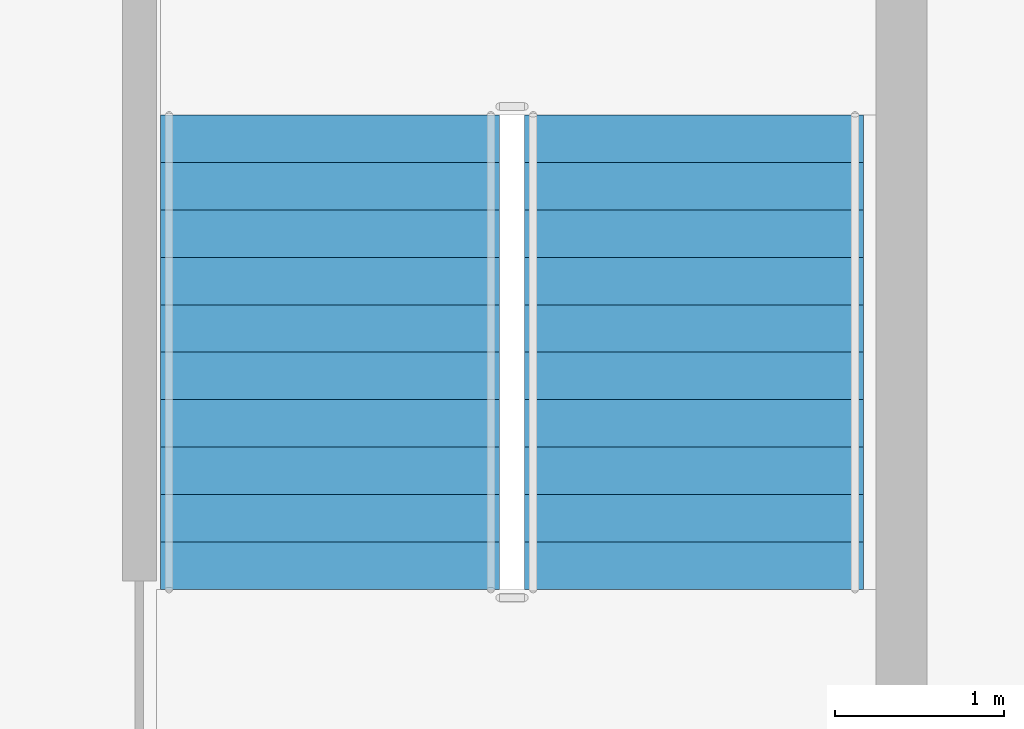
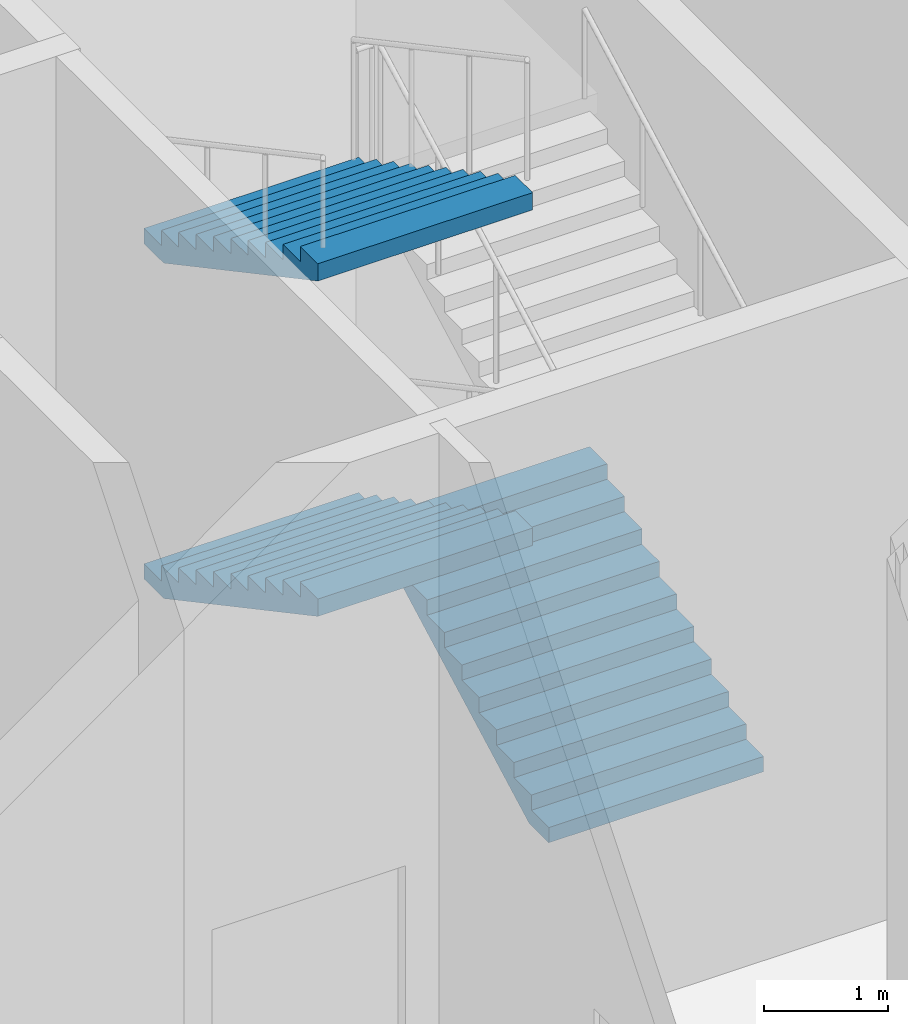
# One storey, part 13 of 26: 3 stair flights, 1 element without a shape of its own.
"""IFC4 building model written with IfcOpenShell, lengths in metres."""

from ifc_helpers import new_model, si_unit, direction, frame, origin, place, context, subcontext, project, spatial, polygons, material, type_object, element, aggregate, save


model = new_model("IFC4")

# Units and contexts
model_context = context("Model", 3, precision=1e-05, world=origin(), true_north=direction((0.0, 1.0)))
body_context = subcontext(model_context, "Body", "Model", "MODEL_VIEW")
ifc_project = project(units=[si_unit("LENGTHUNIT", "METRE"), si_unit("AREAUNIT", "SQUARE_METRE"), si_unit("VOLUMEUNIT", "CUBIC_METRE"), si_unit("PLANEANGLEUNIT", "RADIAN"), si_unit("MASSUNIT", "GRAM", prefix="KILO")], contexts=[model_context])

# Site, building, storey
site_placement = place(None, origin())
site = spatial("IfcSite", under=ifc_project, at=site_placement, CompositionType="ELEMENT")
building_placement = place(site_placement, origin())
building = spatial("IfcBuilding", under=site, at=building_placement, Name="Caravel Reach Hotel and Residences", CompositionType="ELEMENT")
storey_placement = place(building_placement, frame((0.0, 0.0, 17.39990234375)))
storey = spatial("IfcBuildingStorey", under=building, at=storey_placement, Name="L03", CompositionType="ELEMENT", Elevation=17.39990234375)

# Stair, stair flights
ifc_material_1 = material(Name="Concrete C40", Category="concrete")
stair_type = type_object("IfcStairType", Name="Core stair", PredefinedType="HALF_TURN_STAIR", material=ifc_material_1)
stair_placement = place(storey_placement, origin())
stair = element("IfcStair", 1, at=stair_placement, inside=storey, type_object=stair_type, Name="L03 Exit stair B", PredefinedType="HALF_TURN_STAIR")
ifc_material_2 = material(Name="Concrete C40", Category="concrete")
stair_flight_type = type_object("IfcStairFlightType", Name="Core stair flight", PredefinedType="STRAIGHT", material=ifc_material_2)
stair_flight_1_placement = place(storey_placement, frame((43.77490234375, 24.64990234375, 0.0), z_axis=(0.0, 0.0, 1.0), x_axis=(0.0, 1.0, 0.0)))
stair_flight_1 = element("IfcStairFlight", 2, at=stair_flight_1_placement, type_object=stair_flight_type, Name="ST-B flight 1", NumberOfRisers=11, NumberOfTreads=10, PredefinedType="STRAIGHT", RiserHeight=0.15, TreadLength=0.28, context=body_context, shape_type="Tessellation", body=[
    polygons([(0.3174408016601862, 1.0, 0.0), (0.3174408016601862, 0.6666666666666667, 0.0), (0.3174408016601862, 0.33333333333333337, 0.0), (0.3174408016601862, 0.0, 0.0), (0.3174408016601862, -0.33333333333333326, 0.0), (0.3174408016601862, -0.6666666666666667, 0.0), (0.3174408016601862, -1.0, 0.0), (2.801, 1.0, 1.329942427682043), (2.801, 0.6666666666666667, 1.329942427682043), (2.801, 0.33333333333333337, 1.329942427682043), (2.801, 0.0, 1.329942427682043), (2.801, -0.33333333333333326, 1.329942427682043), (2.801, -0.6666666666666667, 1.329942427682043), (2.801, -1.0, 1.329942427682043), (2.801, 1.0, 1.5), (2.801, 0.6666666666666667, 1.5), (2.801, 0.33333333333333337, 1.5), (2.801, 0.0, 1.5), (2.801, -0.33333333333333326, 1.5), (2.801, -0.6666666666666667, 1.5), (2.801, -1.0, 1.5), (2.5200000000000005, 1.0, 1.5), (2.5200000000000005, 0.6666666666666667, 1.5), (2.5200000000000005, 0.33333333333333337, 1.5), (2.5200000000000005, 0.0, 1.5), (2.5200000000000005, -0.33333333333333326, 1.5), (2.5200000000000005, -0.6666666666666667, 1.5), (2.5200000000000005, -1.0, 1.5), (2.5200000000000005, 1.0, 1.3499999999999999), (2.5200000000000005, 0.6666666666666667, 1.3499999999999999), (2.5200000000000005, 0.33333333333333337, 1.3499999999999999), (2.5200000000000005, 0.0, 1.3499999999999999), (2.5200000000000005, -0.33333333333333326, 1.3499999999999999), (2.5200000000000005, -0.6666666666666667, 1.3499999999999999), (2.5200000000000005, -1.0, 1.3499999999999999), (2.24, 1.0, 1.3499999999999999), (2.24, 0.6666666666666667, 1.3499999999999999), (2.24, 0.33333333333333337, 1.3499999999999999), (2.24, 0.0, 1.3499999999999999), (2.24, -0.33333333333333326, 1.3499999999999999), (2.24, -0.6666666666666667, 1.3499999999999999), (2.24, -1.0, 1.3499999999999999), (2.24, 1.0, 1.2), (2.24, 0.6666666666666667, 1.2), (2.24, 0.33333333333333337, 1.2), (2.24, 0.0, 1.2), (2.24, -0.33333333333333326, 1.2), (2.24, -0.6666666666666667, 1.2), (2.24, -1.0, 1.2), (1.9600000000000002, 1.0, 1.2), (1.9600000000000002, 0.6666666666666667, 1.2), (1.9600000000000002, 0.33333333333333337, 1.2), (1.9600000000000002, 0.0, 1.2), (1.9600000000000002, -0.33333333333333326, 1.2), (1.9600000000000002, -0.6666666666666667, 1.2), (1.9600000000000002, -1.0, 1.2), (1.9600000000000002, 1.0, 1.05), (1.9600000000000002, 0.6666666666666667, 1.05), (1.9600000000000002, 0.33333333333333337, 1.05), (1.9600000000000002, 0.0, 1.05), (1.9600000000000002, -0.33333333333333326, 1.05), (1.9600000000000002, -0.6666666666666667, 1.05), (1.9600000000000002, -1.0, 1.05), (1.6800000000000002, 1.0, 1.05), (1.6800000000000002, 0.6666666666666667, 1.05), (1.6800000000000002, 0.33333333333333337, 1.05), (1.6800000000000002, 0.0, 1.05), (1.6800000000000002, -0.33333333333333326, 1.05), (1.6800000000000002, -0.6666666666666667, 1.05), (1.6800000000000002, -1.0, 1.05), (1.6800000000000002, 1.0, 0.8999999999999999), (1.6800000000000002, 0.6666666666666667, 0.8999999999999999), (1.6800000000000002, 0.33333333333333337, 0.8999999999999999), (1.6800000000000002, 0.0, 0.8999999999999999), (1.6800000000000002, -0.33333333333333326, 0.8999999999999999), (1.6800000000000002, -0.6666666666666667, 0.8999999999999999), (1.6800000000000002, -1.0, 0.8999999999999999), (1.4000000000000001, 1.0, 0.8999999999999999), (1.4000000000000001, 0.6666666666666667, 0.8999999999999999), (1.4000000000000001, 0.33333333333333337, 0.8999999999999999), (1.4000000000000001, 0.0, 0.8999999999999999), (1.4000000000000001, -0.33333333333333326, 0.8999999999999999), (1.4000000000000001, -0.6666666666666667, 0.8999999999999999), (1.4000000000000001, -1.0, 0.8999999999999999), (1.4000000000000001, 1.0, 0.75), (1.4000000000000001, 0.6666666666666667, 0.75), (1.4000000000000001, 0.33333333333333337, 0.75), (1.4000000000000001, 0.0, 0.75), (1.4000000000000001, -0.33333333333333326, 0.75), (1.4000000000000001, -0.6666666666666667, 0.75), (1.4000000000000001, -1.0, 0.75), (1.12, 1.0, 0.75), (1.12, 0.6666666666666667, 0.75), (1.12, 0.33333333333333337, 0.75), (1.12, 0.0, 0.75), (1.12, -0.33333333333333326, 0.75), (1.12, -0.6666666666666667, 0.75), (1.12, -1.0, 0.75), (1.12, 1.0, 0.6), (1.12, 0.6666666666666667, 0.6), (1.12, 0.33333333333333337, 0.6), (1.12, 0.0, 0.6), (1.12, -0.33333333333333326, 0.6), (1.12, -0.6666666666666667, 0.6), (1.12, -1.0, 0.6), (0.8400000000000001, 1.0, 0.6), (0.8400000000000001, 0.6666666666666667, 0.6), (0.8400000000000001, 0.33333333333333337, 0.6), (0.8400000000000001, 0.0, 0.6), (0.8400000000000001, -0.33333333333333326, 0.6), (0.8400000000000001, -0.6666666666666667, 0.6), (0.8400000000000001, -1.0, 0.6), (0.8400000000000001, 1.0, 0.44999999999999996), (0.8400000000000001, 0.6666666666666667, 0.44999999999999996), (0.8400000000000001, 0.33333333333333337, 0.44999999999999996), (0.8400000000000001, 0.0, 0.44999999999999996), (0.8400000000000001, -0.33333333333333326, 0.44999999999999996), (0.8400000000000001, -0.6666666666666667, 0.44999999999999996), (0.8400000000000001, -1.0, 0.44999999999999996), (0.56, 1.0, 0.44999999999999996), (0.56, 0.6666666666666667, 0.44999999999999996), (0.56, 0.33333333333333337, 0.44999999999999996), (0.56, 0.0, 0.44999999999999996), (0.56, -0.33333333333333326, 0.44999999999999996), (0.56, -0.6666666666666667, 0.44999999999999996), (0.56, -1.0, 0.44999999999999996), (0.56, 1.0, 0.3), (0.56, 0.6666666666666667, 0.3), (0.56, 0.33333333333333337, 0.3), (0.56, 0.0, 0.3), (0.56, -0.33333333333333326, 0.3), (0.56, -0.6666666666666667, 0.3), (0.56, -1.0, 0.3), (0.28, 1.0, 0.3), (0.28, 0.6666666666666667, 0.3), (0.28, 0.33333333333333337, 0.3), (0.28, 0.0, 0.3), (0.28, -0.33333333333333326, 0.3), (0.28, -0.6666666666666667, 0.3), (0.28, -1.0, 0.3), (0.28, 1.0, 0.15), (0.28, 0.6666666666666667, 0.15), (0.28, 0.33333333333333337, 0.15), (0.28, 0.0, 0.15), (0.28, -0.33333333333333326, 0.15), (0.28, -0.6666666666666667, 0.15), (0.28, -1.0, 0.15), (-0.001, 1.0, 0.15), (-0.001, 0.6666666666666667, 0.15), (-0.001, 0.33333333333333337, 0.15), (-0.001, 0.0, 0.15), (-0.001, -0.33333333333333326, 0.15), (-0.001, -0.6666666666666667, 0.15), (-0.001, -1.0, 0.15), (-0.001, 1.0, 0.0), (-0.001, 0.6666666666666667, 0.0), (-0.001, 0.33333333333333337, 0.0), (-0.001, 0.0, 0.0), (-0.001, -0.33333333333333326, 0.0), (-0.001, -0.6666666666666667, 0.0), (-0.001, -1.0, 0.0)], [[[155, 148, 141, 134, 127, 120, 113, 106, 99, 92, 85, 78, 71, 64, 57, 50, 43, 36, 29, 22, 15, 8, 1]], [[7, 14, 21, 28, 35, 42, 49, 56, 63, 70, 77, 84, 91, 98, 105, 112, 119, 126, 133, 140, 147, 154, 161]], [[1, 8, 9, 2]], [[2, 9, 10, 3]], [[3, 10, 11, 4]], [[4, 11, 12, 5]], [[5, 12, 13, 6]], [[6, 13, 14, 7]], [[8, 15, 16, 9]], [[9, 16, 17, 10]], [[10, 17, 18, 11]], [[11, 18, 19, 12]], [[12, 19, 20, 13]], [[13, 20, 21, 14]], [[15, 22, 23, 16]], [[16, 23, 24, 17]], [[17, 24, 25, 18]], [[18, 25, 26, 19]], [[19, 26, 27, 20]], [[20, 27, 28, 21]], [[22, 29, 30, 23]], [[23, 30, 31, 24]], [[24, 31, 32, 25]], [[25, 32, 33, 26]], [[26, 33, 34, 27]], [[27, 34, 35, 28]], [[29, 36, 37, 30]], [[30, 37, 38, 31]], [[31, 38, 39, 32]], [[32, 39, 40, 33]], [[33, 40, 41, 34]], [[34, 41, 42, 35]], [[36, 43, 44, 37]], [[37, 44, 45, 38]], [[38, 45, 46, 39]], [[39, 46, 47, 40]], [[40, 47, 48, 41]], [[41, 48, 49, 42]], [[43, 50, 51, 44]], [[44, 51, 52, 45]], [[45, 52, 53, 46]], [[46, 53, 54, 47]], [[47, 54, 55, 48]], [[48, 55, 56, 49]], [[50, 57, 58, 51]], [[51, 58, 59, 52]], [[52, 59, 60, 53]], [[53, 60, 61, 54]], [[54, 61, 62, 55]], [[55, 62, 63, 56]], [[57, 64, 65, 58]], [[58, 65, 66, 59]], [[59, 66, 67, 60]], [[60, 67, 68, 61]], [[61, 68, 69, 62]], [[62, 69, 70, 63]], [[64, 71, 72, 65]], [[65, 72, 73, 66]], [[66, 73, 74, 67]], [[67, 74, 75, 68]], [[68, 75, 76, 69]], [[69, 76, 77, 70]], [[71, 78, 79, 72]], [[72, 79, 80, 73]], [[73, 80, 81, 74]], [[74, 81, 82, 75]], [[75, 82, 83, 76]], [[76, 83, 84, 77]], [[78, 85, 86, 79]], [[79, 86, 87, 80]], [[80, 87, 88, 81]], [[81, 88, 89, 82]], [[82, 89, 90, 83]], [[83, 90, 91, 84]], [[85, 92, 93, 86]], [[86, 93, 94, 87]], [[87, 94, 95, 88]], [[88, 95, 96, 89]], [[89, 96, 97, 90]], [[90, 97, 98, 91]], [[92, 99, 100, 93]], [[93, 100, 101, 94]], [[94, 101, 102, 95]], [[95, 102, 103, 96]], [[96, 103, 104, 97]], [[97, 104, 105, 98]], [[99, 106, 107, 100]], [[100, 107, 108, 101]], [[101, 108, 109, 102]], [[102, 109, 110, 103]], [[103, 110, 111, 104]], [[104, 111, 112, 105]], [[106, 113, 114, 107]], [[107, 114, 115, 108]], [[108, 115, 116, 109]], [[109, 116, 117, 110]], [[110, 117, 118, 111]], [[111, 118, 119, 112]], [[113, 120, 121, 114]], [[114, 121, 122, 115]], [[115, 122, 123, 116]], [[116, 123, 124, 117]], [[117, 124, 125, 118]], [[118, 125, 126, 119]], [[120, 127, 128, 121]], [[121, 128, 129, 122]], [[122, 129, 130, 123]], [[123, 130, 131, 124]], [[124, 131, 132, 125]], [[125, 132, 133, 126]], [[127, 134, 135, 128]], [[128, 135, 136, 129]], [[129, 136, 137, 130]], [[130, 137, 138, 131]], [[131, 138, 139, 132]], [[132, 139, 140, 133]], [[134, 141, 142, 135]], [[135, 142, 143, 136]], [[136, 143, 144, 137]], [[137, 144, 145, 138]], [[138, 145, 146, 139]], [[139, 146, 147, 140]], [[141, 148, 149, 142]], [[142, 149, 150, 143]], [[143, 150, 151, 144]], [[144, 151, 152, 145]], [[145, 152, 153, 146]], [[146, 153, 154, 147]], [[148, 155, 156, 149]], [[149, 156, 157, 150]], [[150, 157, 158, 151]], [[151, 158, 159, 152]], [[152, 159, 160, 153]], [[153, 160, 161, 154]], [[155, 1, 2, 156]], [[156, 2, 3, 157]], [[157, 3, 4, 158]], [[158, 4, 5, 159]], [[159, 5, 6, 160]], [[160, 6, 7, 161]]], closed=True),
])
stair_flight_2_placement = place(storey_placement, frame((41.625, 27.449951171875, 1.650146484375), z_axis=(0.0, 0.0, 1.0), x_axis=(0.0, -1.0, 0.0)))
stair_flight_2 = element("IfcStairFlight", 3, at=stair_flight_2_placement, type_object=stair_flight_type, Name="ST-B flight 2", NumberOfRisers=11, NumberOfTreads=10, PredefinedType="STRAIGHT", RiserHeight=0.15, TreadLength=0.28, context=body_context, shape_type="Tessellation", body=[
    polygons([(0.3174408016601862, 1.0, 0.0), (0.3174408016601862, 0.6666666666666667, 0.0), (0.3174408016601862, 0.33333333333333337, 0.0), (0.3174408016601862, 0.0, 0.0), (0.3174408016601862, -0.33333333333333326, 0.0), (0.3174408016601862, -0.6666666666666667, 0.0), (0.3174408016601862, -1.0, 0.0), (2.801, 1.0, 1.329942427682043), (2.801, 0.6666666666666667, 1.329942427682043), (2.801, 0.33333333333333337, 1.329942427682043), (2.801, 0.0, 1.329942427682043), (2.801, -0.33333333333333326, 1.329942427682043), (2.801, -0.6666666666666667, 1.329942427682043), (2.801, -1.0, 1.329942427682043), (2.801, 1.0, 1.5), (2.801, 0.6666666666666667, 1.5), (2.801, 0.33333333333333337, 1.5), (2.801, 0.0, 1.5), (2.801, -0.33333333333333326, 1.5), (2.801, -0.6666666666666667, 1.5), (2.801, -1.0, 1.5), (2.5200000000000005, 1.0, 1.5), (2.5200000000000005, 0.6666666666666667, 1.5), (2.5200000000000005, 0.33333333333333337, 1.5), (2.5200000000000005, 0.0, 1.5), (2.5200000000000005, -0.33333333333333326, 1.5), (2.5200000000000005, -0.6666666666666667, 1.5), (2.5200000000000005, -1.0, 1.5), (2.5200000000000005, 1.0, 1.3499999999999999), (2.5200000000000005, 0.6666666666666667, 1.3499999999999999), (2.5200000000000005, 0.33333333333333337, 1.3499999999999999), (2.5200000000000005, 0.0, 1.3499999999999999), (2.5200000000000005, -0.33333333333333326, 1.3499999999999999), (2.5200000000000005, -0.6666666666666667, 1.3499999999999999), (2.5200000000000005, -1.0, 1.3499999999999999), (2.24, 1.0, 1.3499999999999999), (2.24, 0.6666666666666667, 1.3499999999999999), (2.24, 0.33333333333333337, 1.3499999999999999), (2.24, 0.0, 1.3499999999999999), (2.24, -0.33333333333333326, 1.3499999999999999), (2.24, -0.6666666666666667, 1.3499999999999999), (2.24, -1.0, 1.3499999999999999), (2.24, 1.0, 1.2), (2.24, 0.6666666666666667, 1.2), (2.24, 0.33333333333333337, 1.2), (2.24, 0.0, 1.2), (2.24, -0.33333333333333326, 1.2), (2.24, -0.6666666666666667, 1.2), (2.24, -1.0, 1.2), (1.9600000000000002, 1.0, 1.2), (1.9600000000000002, 0.6666666666666667, 1.2), (1.9600000000000002, 0.33333333333333337, 1.2), (1.9600000000000002, 0.0, 1.2), (1.9600000000000002, -0.33333333333333326, 1.2), (1.9600000000000002, -0.6666666666666667, 1.2), (1.9600000000000002, -1.0, 1.2), (1.9600000000000002, 1.0, 1.05), (1.9600000000000002, 0.6666666666666667, 1.05), (1.9600000000000002, 0.33333333333333337, 1.05), (1.9600000000000002, 0.0, 1.05), (1.9600000000000002, -0.33333333333333326, 1.05), (1.9600000000000002, -0.6666666666666667, 1.05), (1.9600000000000002, -1.0, 1.05), (1.6800000000000002, 1.0, 1.05), (1.6800000000000002, 0.6666666666666667, 1.05), (1.6800000000000002, 0.33333333333333337, 1.05), (1.6800000000000002, 0.0, 1.05), (1.6800000000000002, -0.33333333333333326, 1.05), (1.6800000000000002, -0.6666666666666667, 1.05), (1.6800000000000002, -1.0, 1.05), (1.6800000000000002, 1.0, 0.8999999999999999), (1.6800000000000002, 0.6666666666666667, 0.8999999999999999), (1.6800000000000002, 0.33333333333333337, 0.8999999999999999), (1.6800000000000002, 0.0, 0.8999999999999999), (1.6800000000000002, -0.33333333333333326, 0.8999999999999999), (1.6800000000000002, -0.6666666666666667, 0.8999999999999999), (1.6800000000000002, -1.0, 0.8999999999999999), (1.4000000000000001, 1.0, 0.8999999999999999), (1.4000000000000001, 0.6666666666666667, 0.8999999999999999), (1.4000000000000001, 0.33333333333333337, 0.8999999999999999), (1.4000000000000001, 0.0, 0.8999999999999999), (1.4000000000000001, -0.33333333333333326, 0.8999999999999999), (1.4000000000000001, -0.6666666666666667, 0.8999999999999999), (1.4000000000000001, -1.0, 0.8999999999999999), (1.4000000000000001, 1.0, 0.75), (1.4000000000000001, 0.6666666666666667, 0.75), (1.4000000000000001, 0.33333333333333337, 0.75), (1.4000000000000001, 0.0, 0.75), (1.4000000000000001, -0.33333333333333326, 0.75), (1.4000000000000001, -0.6666666666666667, 0.75), (1.4000000000000001, -1.0, 0.75), (1.12, 1.0, 0.75), (1.12, 0.6666666666666667, 0.75), (1.12, 0.33333333333333337, 0.75), (1.12, 0.0, 0.75), (1.12, -0.33333333333333326, 0.75), (1.12, -0.6666666666666667, 0.75), (1.12, -1.0, 0.75), (1.12, 1.0, 0.6), (1.12, 0.6666666666666667, 0.6), (1.12, 0.33333333333333337, 0.6), (1.12, 0.0, 0.6), (1.12, -0.33333333333333326, 0.6), (1.12, -0.6666666666666667, 0.6), (1.12, -1.0, 0.6), (0.8400000000000001, 1.0, 0.6), (0.8400000000000001, 0.6666666666666667, 0.6), (0.8400000000000001, 0.33333333333333337, 0.6), (0.8400000000000001, 0.0, 0.6), (0.8400000000000001, -0.33333333333333326, 0.6), (0.8400000000000001, -0.6666666666666667, 0.6), (0.8400000000000001, -1.0, 0.6), (0.8400000000000001, 1.0, 0.44999999999999996), (0.8400000000000001, 0.6666666666666667, 0.44999999999999996), (0.8400000000000001, 0.33333333333333337, 0.44999999999999996), (0.8400000000000001, 0.0, 0.44999999999999996), (0.8400000000000001, -0.33333333333333326, 0.44999999999999996), (0.8400000000000001, -0.6666666666666667, 0.44999999999999996), (0.8400000000000001, -1.0, 0.44999999999999996), (0.56, 1.0, 0.44999999999999996), (0.56, 0.6666666666666667, 0.44999999999999996), (0.56, 0.33333333333333337, 0.44999999999999996), (0.56, 0.0, 0.44999999999999996), (0.56, -0.33333333333333326, 0.44999999999999996), (0.56, -0.6666666666666667, 0.44999999999999996), (0.56, -1.0, 0.44999999999999996), (0.56, 1.0, 0.3), (0.56, 0.6666666666666667, 0.3), (0.56, 0.33333333333333337, 0.3), (0.56, 0.0, 0.3), (0.56, -0.33333333333333326, 0.3), (0.56, -0.6666666666666667, 0.3), (0.56, -1.0, 0.3), (0.28, 1.0, 0.3), (0.28, 0.6666666666666667, 0.3), (0.28, 0.33333333333333337, 0.3), (0.28, 0.0, 0.3), (0.28, -0.33333333333333326, 0.3), (0.28, -0.6666666666666667, 0.3), (0.28, -1.0, 0.3), (0.28, 1.0, 0.15), (0.28, 0.6666666666666667, 0.15), (0.28, 0.33333333333333337, 0.15), (0.28, 0.0, 0.15), (0.28, -0.33333333333333326, 0.15), (0.28, -0.6666666666666667, 0.15), (0.28, -1.0, 0.15), (-0.001, 1.0, 0.15), (-0.001, 0.6666666666666667, 0.15), (-0.001, 0.33333333333333337, 0.15), (-0.001, 0.0, 0.15), (-0.001, -0.33333333333333326, 0.15), (-0.001, -0.6666666666666667, 0.15), (-0.001, -1.0, 0.15), (-0.001, 1.0, 0.0), (-0.001, 0.6666666666666667, 0.0), (-0.001, 0.33333333333333337, 0.0), (-0.001, 0.0, 0.0), (-0.001, -0.33333333333333326, 0.0), (-0.001, -0.6666666666666667, 0.0), (-0.001, -1.0, 0.0)], [[[155, 148, 141, 134, 127, 120, 113, 106, 99, 92, 85, 78, 71, 64, 57, 50, 43, 36, 29, 22, 15, 8, 1]], [[7, 14, 21, 28, 35, 42, 49, 56, 63, 70, 77, 84, 91, 98, 105, 112, 119, 126, 133, 140, 147, 154, 161]], [[1, 8, 9, 2]], [[2, 9, 10, 3]], [[3, 10, 11, 4]], [[4, 11, 12, 5]], [[5, 12, 13, 6]], [[6, 13, 14, 7]], [[8, 15, 16, 9]], [[9, 16, 17, 10]], [[10, 17, 18, 11]], [[11, 18, 19, 12]], [[12, 19, 20, 13]], [[13, 20, 21, 14]], [[15, 22, 23, 16]], [[16, 23, 24, 17]], [[17, 24, 25, 18]], [[18, 25, 26, 19]], [[19, 26, 27, 20]], [[20, 27, 28, 21]], [[22, 29, 30, 23]], [[23, 30, 31, 24]], [[24, 31, 32, 25]], [[25, 32, 33, 26]], [[26, 33, 34, 27]], [[27, 34, 35, 28]], [[29, 36, 37, 30]], [[30, 37, 38, 31]], [[31, 38, 39, 32]], [[32, 39, 40, 33]], [[33, 40, 41, 34]], [[34, 41, 42, 35]], [[36, 43, 44, 37]], [[37, 44, 45, 38]], [[38, 45, 46, 39]], [[39, 46, 47, 40]], [[40, 47, 48, 41]], [[41, 48, 49, 42]], [[43, 50, 51, 44]], [[44, 51, 52, 45]], [[45, 52, 53, 46]], [[46, 53, 54, 47]], [[47, 54, 55, 48]], [[48, 55, 56, 49]], [[50, 57, 58, 51]], [[51, 58, 59, 52]], [[52, 59, 60, 53]], [[53, 60, 61, 54]], [[54, 61, 62, 55]], [[55, 62, 63, 56]], [[57, 64, 65, 58]], [[58, 65, 66, 59]], [[59, 66, 67, 60]], [[60, 67, 68, 61]], [[61, 68, 69, 62]], [[62, 69, 70, 63]], [[64, 71, 72, 65]], [[65, 72, 73, 66]], [[66, 73, 74, 67]], [[67, 74, 75, 68]], [[68, 75, 76, 69]], [[69, 76, 77, 70]], [[71, 78, 79, 72]], [[72, 79, 80, 73]], [[73, 80, 81, 74]], [[74, 81, 82, 75]], [[75, 82, 83, 76]], [[76, 83, 84, 77]], [[78, 85, 86, 79]], [[79, 86, 87, 80]], [[80, 87, 88, 81]], [[81, 88, 89, 82]], [[82, 89, 90, 83]], [[83, 90, 91, 84]], [[85, 92, 93, 86]], [[86, 93, 94, 87]], [[87, 94, 95, 88]], [[88, 95, 96, 89]], [[89, 96, 97, 90]], [[90, 97, 98, 91]], [[92, 99, 100, 93]], [[93, 100, 101, 94]], [[94, 101, 102, 95]], [[95, 102, 103, 96]], [[96, 103, 104, 97]], [[97, 104, 105, 98]], [[99, 106, 107, 100]], [[100, 107, 108, 101]], [[101, 108, 109, 102]], [[102, 109, 110, 103]], [[103, 110, 111, 104]], [[104, 111, 112, 105]], [[106, 113, 114, 107]], [[107, 114, 115, 108]], [[108, 115, 116, 109]], [[109, 116, 117, 110]], [[110, 117, 118, 111]], [[111, 118, 119, 112]], [[113, 120, 121, 114]], [[114, 121, 122, 115]], [[115, 122, 123, 116]], [[116, 123, 124, 117]], [[117, 124, 125, 118]], [[118, 125, 126, 119]], [[120, 127, 128, 121]], [[121, 128, 129, 122]], [[122, 129, 130, 123]], [[123, 130, 131, 124]], [[124, 131, 132, 125]], [[125, 132, 133, 126]], [[127, 134, 135, 128]], [[128, 135, 136, 129]], [[129, 136, 137, 130]], [[130, 137, 138, 131]], [[131, 138, 139, 132]], [[132, 139, 140, 133]], [[134, 141, 142, 135]], [[135, 142, 143, 136]], [[136, 143, 144, 137]], [[137, 144, 145, 138]], [[138, 145, 146, 139]], [[139, 146, 147, 140]], [[141, 148, 149, 142]], [[142, 149, 150, 143]], [[143, 150, 151, 144]], [[144, 151, 152, 145]], [[145, 152, 153, 146]], [[146, 153, 154, 147]], [[148, 155, 156, 149]], [[149, 156, 157, 150]], [[150, 157, 158, 151]], [[151, 158, 159, 152]], [[152, 159, 160, 153]], [[153, 160, 161, 154]], [[155, 1, 2, 156]], [[156, 2, 3, 157]], [[157, 3, 4, 158]], [[158, 4, 5, 159]], [[159, 5, 6, 160]], [[160, 6, 7, 161]]], closed=True),
])
stair_flight_3_placement = place(storey_placement, frame((41.625, 27.449951171875, 4.9501953125), z_axis=(0.0, 0.0, 1.0), x_axis=(0.0, -1.0, 0.0)))
stair_flight_3 = element("IfcStairFlight", 4, at=stair_flight_3_placement, type_object=stair_flight_type, Name="ST-B flight 4", NumberOfRisers=11, NumberOfTreads=10, PredefinedType="STRAIGHT", RiserHeight=0.15, TreadLength=0.28, context=body_context, shape_type="Tessellation", body=[
    polygons([(0.3174408016601862, 1.0, 0.0), (0.3174408016601862, 0.6666666666666667, 0.0), (0.3174408016601862, 0.33333333333333337, 0.0), (0.3174408016601862, 0.0, 0.0), (0.3174408016601862, -0.33333333333333326, 0.0), (0.3174408016601862, -0.6666666666666667, 0.0), (0.3174408016601862, -1.0, 0.0), (2.801, 1.0, 1.329942427682043), (2.801, 0.6666666666666667, 1.329942427682043), (2.801, 0.33333333333333337, 1.329942427682043), (2.801, 0.0, 1.329942427682043), (2.801, -0.33333333333333326, 1.329942427682043), (2.801, -0.6666666666666667, 1.329942427682043), (2.801, -1.0, 1.329942427682043), (2.801, 1.0, 1.5), (2.801, 0.6666666666666667, 1.5), (2.801, 0.33333333333333337, 1.5), (2.801, 0.0, 1.5), (2.801, -0.33333333333333326, 1.5), (2.801, -0.6666666666666667, 1.5), (2.801, -1.0, 1.5), (2.5200000000000005, 1.0, 1.5), (2.5200000000000005, 0.6666666666666667, 1.5), (2.5200000000000005, 0.33333333333333337, 1.5), (2.5200000000000005, 0.0, 1.5), (2.5200000000000005, -0.33333333333333326, 1.5), (2.5200000000000005, -0.6666666666666667, 1.5), (2.5200000000000005, -1.0, 1.5), (2.5200000000000005, 1.0, 1.3499999999999999), (2.5200000000000005, 0.6666666666666667, 1.3499999999999999), (2.5200000000000005, 0.33333333333333337, 1.3499999999999999), (2.5200000000000005, 0.0, 1.3499999999999999), (2.5200000000000005, -0.33333333333333326, 1.3499999999999999), (2.5200000000000005, -0.6666666666666667, 1.3499999999999999), (2.5200000000000005, -1.0, 1.3499999999999999), (2.24, 1.0, 1.3499999999999999), (2.24, 0.6666666666666667, 1.3499999999999999), (2.24, 0.33333333333333337, 1.3499999999999999), (2.24, 0.0, 1.3499999999999999), (2.24, -0.33333333333333326, 1.3499999999999999), (2.24, -0.6666666666666667, 1.3499999999999999), (2.24, -1.0, 1.3499999999999999), (2.24, 1.0, 1.2), (2.24, 0.6666666666666667, 1.2), (2.24, 0.33333333333333337, 1.2), (2.24, 0.0, 1.2), (2.24, -0.33333333333333326, 1.2), (2.24, -0.6666666666666667, 1.2), (2.24, -1.0, 1.2), (1.9600000000000002, 1.0, 1.2), (1.9600000000000002, 0.6666666666666667, 1.2), (1.9600000000000002, 0.33333333333333337, 1.2), (1.9600000000000002, 0.0, 1.2), (1.9600000000000002, -0.33333333333333326, 1.2), (1.9600000000000002, -0.6666666666666667, 1.2), (1.9600000000000002, -1.0, 1.2), (1.9600000000000002, 1.0, 1.05), (1.9600000000000002, 0.6666666666666667, 1.05), (1.9600000000000002, 0.33333333333333337, 1.05), (1.9600000000000002, 0.0, 1.05), (1.9600000000000002, -0.33333333333333326, 1.05), (1.9600000000000002, -0.6666666666666667, 1.05), (1.9600000000000002, -1.0, 1.05), (1.6800000000000002, 1.0, 1.05), (1.6800000000000002, 0.6666666666666667, 1.05), (1.6800000000000002, 0.33333333333333337, 1.05), (1.6800000000000002, 0.0, 1.05), (1.6800000000000002, -0.33333333333333326, 1.05), (1.6800000000000002, -0.6666666666666667, 1.05), (1.6800000000000002, -1.0, 1.05), (1.6800000000000002, 1.0, 0.8999999999999999), (1.6800000000000002, 0.6666666666666667, 0.8999999999999999), (1.6800000000000002, 0.33333333333333337, 0.8999999999999999), (1.6800000000000002, 0.0, 0.8999999999999999), (1.6800000000000002, -0.33333333333333326, 0.8999999999999999), (1.6800000000000002, -0.6666666666666667, 0.8999999999999999), (1.6800000000000002, -1.0, 0.8999999999999999), (1.4000000000000001, 1.0, 0.8999999999999999), (1.4000000000000001, 0.6666666666666667, 0.8999999999999999), (1.4000000000000001, 0.33333333333333337, 0.8999999999999999), (1.4000000000000001, 0.0, 0.8999999999999999), (1.4000000000000001, -0.33333333333333326, 0.8999999999999999), (1.4000000000000001, -0.6666666666666667, 0.8999999999999999), (1.4000000000000001, -1.0, 0.8999999999999999), (1.4000000000000001, 1.0, 0.75), (1.4000000000000001, 0.6666666666666667, 0.75), (1.4000000000000001, 0.33333333333333337, 0.75), (1.4000000000000001, 0.0, 0.75), (1.4000000000000001, -0.33333333333333326, 0.75), (1.4000000000000001, -0.6666666666666667, 0.75), (1.4000000000000001, -1.0, 0.75), (1.12, 1.0, 0.75), (1.12, 0.6666666666666667, 0.75), (1.12, 0.33333333333333337, 0.75), (1.12, 0.0, 0.75), (1.12, -0.33333333333333326, 0.75), (1.12, -0.6666666666666667, 0.75), (1.12, -1.0, 0.75), (1.12, 1.0, 0.6), (1.12, 0.6666666666666667, 0.6), (1.12, 0.33333333333333337, 0.6), (1.12, 0.0, 0.6), (1.12, -0.33333333333333326, 0.6), (1.12, -0.6666666666666667, 0.6), (1.12, -1.0, 0.6), (0.8400000000000001, 1.0, 0.6), (0.8400000000000001, 0.6666666666666667, 0.6), (0.8400000000000001, 0.33333333333333337, 0.6), (0.8400000000000001, 0.0, 0.6), (0.8400000000000001, -0.33333333333333326, 0.6), (0.8400000000000001, -0.6666666666666667, 0.6), (0.8400000000000001, -1.0, 0.6), (0.8400000000000001, 1.0, 0.44999999999999996), (0.8400000000000001, 0.6666666666666667, 0.44999999999999996), (0.8400000000000001, 0.33333333333333337, 0.44999999999999996), (0.8400000000000001, 0.0, 0.44999999999999996), (0.8400000000000001, -0.33333333333333326, 0.44999999999999996), (0.8400000000000001, -0.6666666666666667, 0.44999999999999996), (0.8400000000000001, -1.0, 0.44999999999999996), (0.56, 1.0, 0.44999999999999996), (0.56, 0.6666666666666667, 0.44999999999999996), (0.56, 0.33333333333333337, 0.44999999999999996), (0.56, 0.0, 0.44999999999999996), (0.56, -0.33333333333333326, 0.44999999999999996), (0.56, -0.6666666666666667, 0.44999999999999996), (0.56, -1.0, 0.44999999999999996), (0.56, 1.0, 0.3), (0.56, 0.6666666666666667, 0.3), (0.56, 0.33333333333333337, 0.3), (0.56, 0.0, 0.3), (0.56, -0.33333333333333326, 0.3), (0.56, -0.6666666666666667, 0.3), (0.56, -1.0, 0.3), (0.28, 1.0, 0.3), (0.28, 0.6666666666666667, 0.3), (0.28, 0.33333333333333337, 0.3), (0.28, 0.0, 0.3), (0.28, -0.33333333333333326, 0.3), (0.28, -0.6666666666666667, 0.3), (0.28, -1.0, 0.3), (0.28, 1.0, 0.15), (0.28, 0.6666666666666667, 0.15), (0.28, 0.33333333333333337, 0.15), (0.28, 0.0, 0.15), (0.28, -0.33333333333333326, 0.15), (0.28, -0.6666666666666667, 0.15), (0.28, -1.0, 0.15), (-0.001, 1.0, 0.15), (-0.001, 0.6666666666666667, 0.15), (-0.001, 0.33333333333333337, 0.15), (-0.001, 0.0, 0.15), (-0.001, -0.33333333333333326, 0.15), (-0.001, -0.6666666666666667, 0.15), (-0.001, -1.0, 0.15), (-0.001, 1.0, 0.0), (-0.001, 0.6666666666666667, 0.0), (-0.001, 0.33333333333333337, 0.0), (-0.001, 0.0, 0.0), (-0.001, -0.33333333333333326, 0.0), (-0.001, -0.6666666666666667, 0.0), (-0.001, -1.0, 0.0)], [[[155, 148, 141, 134, 127, 120, 113, 106, 99, 92, 85, 78, 71, 64, 57, 50, 43, 36, 29, 22, 15, 8, 1]], [[7, 14, 21, 28, 35, 42, 49, 56, 63, 70, 77, 84, 91, 98, 105, 112, 119, 126, 133, 140, 147, 154, 161]], [[1, 8, 9, 2]], [[2, 9, 10, 3]], [[3, 10, 11, 4]], [[4, 11, 12, 5]], [[5, 12, 13, 6]], [[6, 13, 14, 7]], [[8, 15, 16, 9]], [[9, 16, 17, 10]], [[10, 17, 18, 11]], [[11, 18, 19, 12]], [[12, 19, 20, 13]], [[13, 20, 21, 14]], [[15, 22, 23, 16]], [[16, 23, 24, 17]], [[17, 24, 25, 18]], [[18, 25, 26, 19]], [[19, 26, 27, 20]], [[20, 27, 28, 21]], [[22, 29, 30, 23]], [[23, 30, 31, 24]], [[24, 31, 32, 25]], [[25, 32, 33, 26]], [[26, 33, 34, 27]], [[27, 34, 35, 28]], [[29, 36, 37, 30]], [[30, 37, 38, 31]], [[31, 38, 39, 32]], [[32, 39, 40, 33]], [[33, 40, 41, 34]], [[34, 41, 42, 35]], [[36, 43, 44, 37]], [[37, 44, 45, 38]], [[38, 45, 46, 39]], [[39, 46, 47, 40]], [[40, 47, 48, 41]], [[41, 48, 49, 42]], [[43, 50, 51, 44]], [[44, 51, 52, 45]], [[45, 52, 53, 46]], [[46, 53, 54, 47]], [[47, 54, 55, 48]], [[48, 55, 56, 49]], [[50, 57, 58, 51]], [[51, 58, 59, 52]], [[52, 59, 60, 53]], [[53, 60, 61, 54]], [[54, 61, 62, 55]], [[55, 62, 63, 56]], [[57, 64, 65, 58]], [[58, 65, 66, 59]], [[59, 66, 67, 60]], [[60, 67, 68, 61]], [[61, 68, 69, 62]], [[62, 69, 70, 63]], [[64, 71, 72, 65]], [[65, 72, 73, 66]], [[66, 73, 74, 67]], [[67, 74, 75, 68]], [[68, 75, 76, 69]], [[69, 76, 77, 70]], [[71, 78, 79, 72]], [[72, 79, 80, 73]], [[73, 80, 81, 74]], [[74, 81, 82, 75]], [[75, 82, 83, 76]], [[76, 83, 84, 77]], [[78, 85, 86, 79]], [[79, 86, 87, 80]], [[80, 87, 88, 81]], [[81, 88, 89, 82]], [[82, 89, 90, 83]], [[83, 90, 91, 84]], [[85, 92, 93, 86]], [[86, 93, 94, 87]], [[87, 94, 95, 88]], [[88, 95, 96, 89]], [[89, 96, 97, 90]], [[90, 97, 98, 91]], [[92, 99, 100, 93]], [[93, 100, 101, 94]], [[94, 101, 102, 95]], [[95, 102, 103, 96]], [[96, 103, 104, 97]], [[97, 104, 105, 98]], [[99, 106, 107, 100]], [[100, 107, 108, 101]], [[101, 108, 109, 102]], [[102, 109, 110, 103]], [[103, 110, 111, 104]], [[104, 111, 112, 105]], [[106, 113, 114, 107]], [[107, 114, 115, 108]], [[108, 115, 116, 109]], [[109, 116, 117, 110]], [[110, 117, 118, 111]], [[111, 118, 119, 112]], [[113, 120, 121, 114]], [[114, 121, 122, 115]], [[115, 122, 123, 116]], [[116, 123, 124, 117]], [[117, 124, 125, 118]], [[118, 125, 126, 119]], [[120, 127, 128, 121]], [[121, 128, 129, 122]], [[122, 129, 130, 123]], [[123, 130, 131, 124]], [[124, 131, 132, 125]], [[125, 132, 133, 126]], [[127, 134, 135, 128]], [[128, 135, 136, 129]], [[129, 136, 137, 130]], [[130, 137, 138, 131]], [[131, 138, 139, 132]], [[132, 139, 140, 133]], [[134, 141, 142, 135]], [[135, 142, 143, 136]], [[136, 143, 144, 137]], [[137, 144, 145, 138]], [[138, 145, 146, 139]], [[139, 146, 147, 140]], [[141, 148, 149, 142]], [[142, 149, 150, 143]], [[143, 150, 151, 144]], [[144, 151, 152, 145]], [[145, 152, 153, 146]], [[146, 153, 154, 147]], [[148, 155, 156, 149]], [[149, 156, 157, 150]], [[150, 157, 158, 151]], [[151, 158, 159, 152]], [[152, 159, 160, 153]], [[153, 160, 161, 154]], [[155, 1, 2, 156]], [[156, 2, 3, 157]], [[157, 3, 4, 158]], [[158, 4, 5, 159]], [[159, 5, 6, 160]], [[160, 6, 7, 161]]], closed=True),
])
aggregate(stair, [stair_flight_1, stair_flight_2, stair_flight_3])

save(model, "model.ifc")
